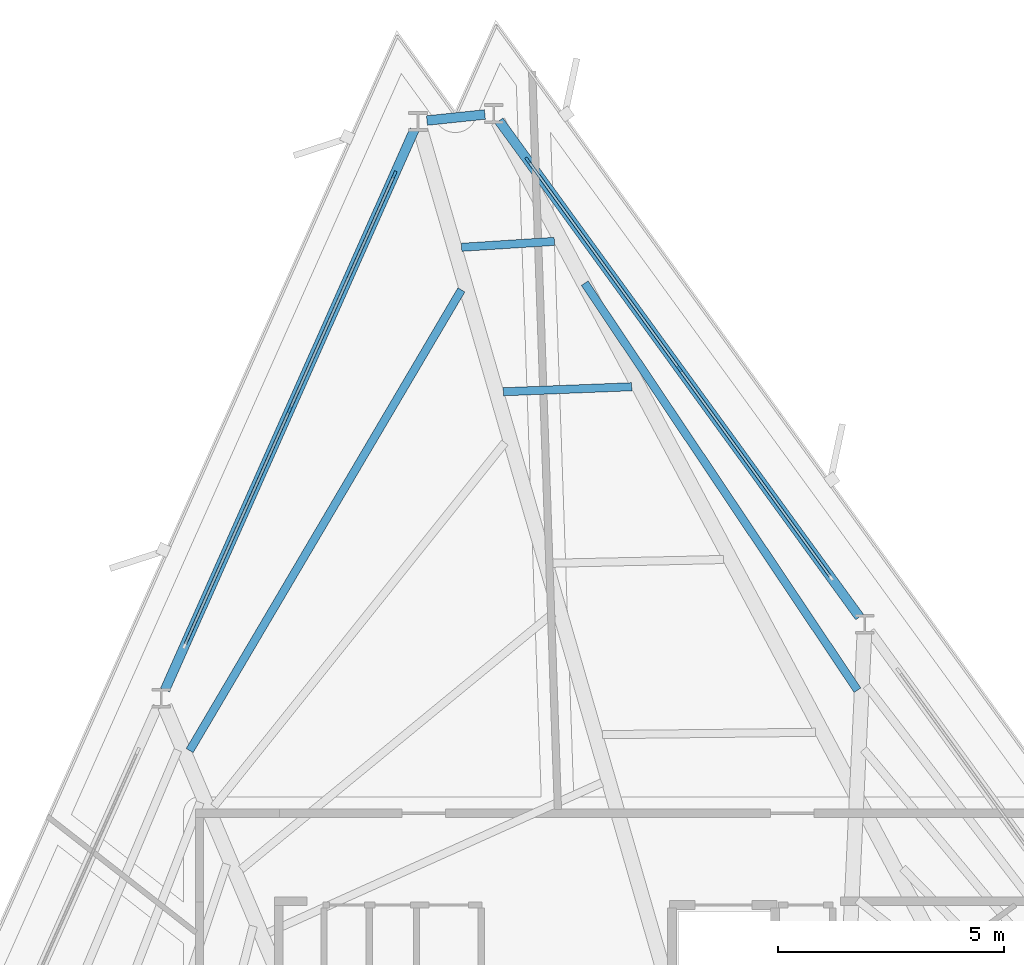
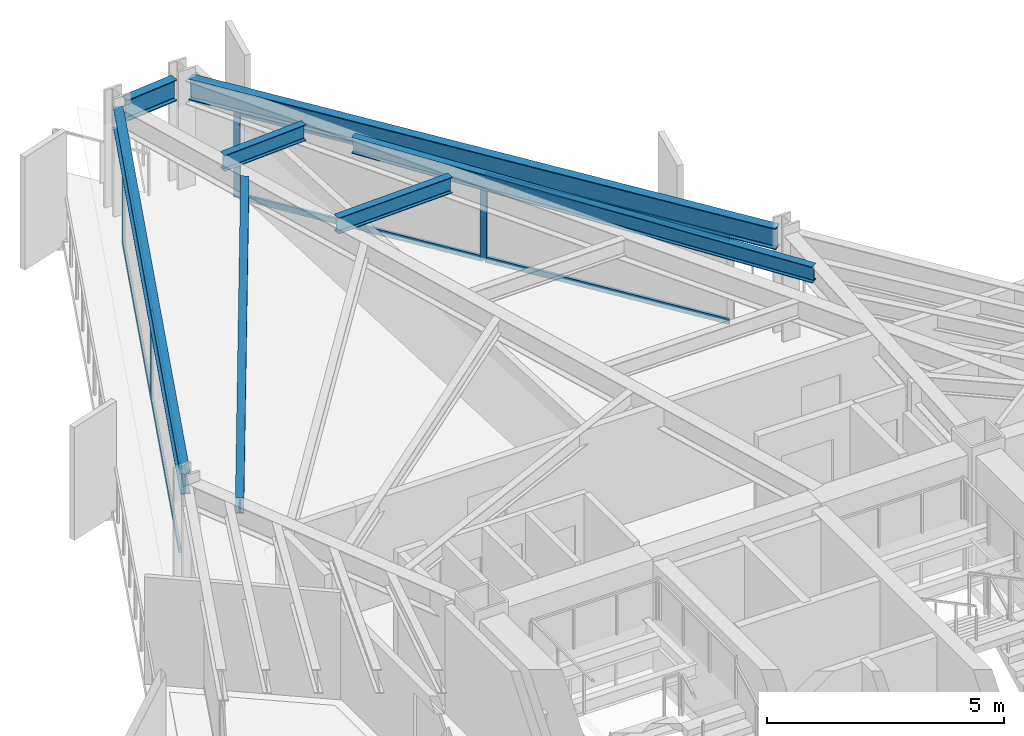
# One storey, part 6 of 12: 12 members, 7 beams, 2 elements without a shape of their own.
"""IFC4 building model written with IfcOpenShell, lengths in metres."""

from ifc_helpers import new_model, si_unit, direction, frame, origin, origin_2d, place, context, subcontext, project, spatial, rectangle, i_section, extrude, material, layer, layer_set, material_profile, profile_set, type_object, element, aggregate, save


model = new_model("IFC4")

# Units and contexts
model_context = context("Model", 3, precision=1e-05, world=origin(), true_north=direction((0.0, 1.0)))
body_context = subcontext(model_context, "Body", "Model", "MODEL_VIEW")
ifc_project = project(units=[si_unit("LENGTHUNIT", "METRE"), si_unit("AREAUNIT", "SQUARE_METRE"), si_unit("VOLUMEUNIT", "CUBIC_METRE"), si_unit("PLANEANGLEUNIT", "RADIAN"), si_unit("MASSUNIT", "GRAM", prefix="KILO")], contexts=[model_context])

# Site, building, storey
site_placement = place(None, origin())
site = spatial("IfcSite", under=ifc_project, at=site_placement, CompositionType="ELEMENT")
building_placement = place(site_placement, origin())
building = spatial("IfcBuilding", under=site, at=building_placement, Name="Rocaltana Carrier Exchange", CompositionType="ELEMENT")
storey_placement = place(building_placement, frame((0.0, 0.0, 107.679931640625)))
storey = spatial("IfcBuildingStorey", under=building, at=storey_placement, Name="L33", CompositionType="ELEMENT", Elevation=107.679931640625)

# Curtain wall, members
ifc_material_1 = material(Name="Aluminium 6063-T6", Category="aluminium")
ifc_layer = layer(ifc_material_1, 0.14990234375)
ifc_layer_set = layer_set([ifc_layer], Name="Aluminium 6063-T6")
curtain_wall_type = type_object("IfcCurtainWallType", Name="Mid-Tower Unitised Curtain Wall CW-03", PredefinedType="NOTDEFINED", material=ifc_layer_set)
curtain_wall_1_placement = place(storey_placement, origin())
curtain_wall_1 = element("IfcCurtainWall", 1, at=curtain_wall_1_placement, inside=storey, type_object=curtain_wall_type, Name="L33 CW-03 Run CW-L33-F1S3", PredefinedType="NOTDEFINED")
ifc_material_2 = material(Name="Aluminium 6063-T6", Category="aluminium")
ifc_material_profile_1 = material_profile(ifc_material_2, rectangle(XDim=0.06005859375, YDim=0.14990234375, at=origin_2d()), Name="AL-60X150")
ifc_profile_set_1 = profile_set([ifc_material_profile_1], Name="Aluminium 6063-T6")
member_type_1 = type_object("IfcMemberType", Name="CW-03 Mullion AL-60X150", PredefinedType="MULLION", material=ifc_profile_set_1)
member_1_placement = place(storey_placement, frame((2.363037109375, 18.980712890625, 0.0), z_axis=(0.0, 0.0, 1.0), x_axis=(-0.809013555195, -0.587789985889, 0.0)))
member_1 = element("IfcMember", 2, at=member_1_placement, type_object=member_type_1, Name="CW-03 mullion 2", PredefinedType="MULLION", context=body_context, shape_type="SweptSolid", body=[
    extrude(rectangle(XDim=0.06005859375, YDim=0.14990234375, at=origin_2d()), origin(), (0.0, 0.0, 1.0), 2.218017578125),
])
member_2_placement = place(storey_placement, frame((-0.9892578125, 23.5947265625, 0.0), z_axis=(0.0, 0.0, 1.0), x_axis=(-0.809013555195, -0.587789985889, 0.0)))
member_2 = element("IfcMember", 3, at=member_2_placement, type_object=member_type_1, Name="CW-03 mullion 3", PredefinedType="MULLION", context=body_context, shape_type="SweptSolid", body=[
    extrude(rectangle(XDim=0.06005859375, YDim=0.14990234375, at=origin_2d()), origin(), (0.0, 0.0, 1.0), 2.218017578125),
])

curtain_wall_2_placement = place(storey_placement, origin())
curtain_wall_2 = element("IfcCurtainWall", 4, at=curtain_wall_2_placement, inside=storey, type_object=curtain_wall_type, Name="L33 CW-03 Run CW-L33-F2S1", PredefinedType="NOTDEFINED")
member_3_placement = place(storey_placement, frame((-3.93798828125, 23.284912109375, 0.0), z_axis=(0.0, 0.0, 1.0), x_axis=(0.913543791084, -0.406740386206, 0.0)))
member_3 = element("IfcMember", 5, at=member_3_placement, type_object=member_type_1, Name="CW-03 mullion 1", PredefinedType="MULLION", context=body_context, shape_type="SweptSolid", body=[
    extrude(rectangle(XDim=0.06005859375, YDim=0.14990234375, at=origin_2d()), origin(), (0.0, 0.0, 1.0), 2.218017578125),
])
member_4_placement = place(storey_placement, frame((-6.2578125, 18.074462890625, 0.0), z_axis=(0.0, 0.0, 1.0), x_axis=(0.913543791084, -0.406740386206, 0.0)))
member_4 = element("IfcMember", 6, at=member_4_placement, type_object=member_type_1, Name="CW-03 mullion 2", PredefinedType="MULLION", context=body_context, shape_type="SweptSolid", body=[
    extrude(rectangle(XDim=0.06005859375, YDim=0.14990234375, at=origin_2d()), origin(), (0.0, 0.0, 1.0), 2.218017578125),
])

# Member
ifc_material_3 = material(Name="Aluminium 6063-T6", Category="aluminium")
ifc_material_profile_2 = material_profile(ifc_material_3, rectangle(XDim=0.06005859375, YDim=0.14990234375, at=origin_2d()), Name="AL-60X150")
ifc_profile_set_2 = profile_set([ifc_material_profile_2], Name="Aluminium 6063-T6")
member_type_2 = type_object("IfcMemberType", Name="CW-03 Transom AL-60X150", PredefinedType="USERDEFINED", material=ifc_profile_set_2)
member_5_placement = place(storey_placement, frame((5.69775390625, 14.390869140625, 0.030029296875), z_axis=(-0.587803791035, 0.809003524866, 0.0), x_axis=(-0.809003524866, -0.587803791035, 0.0)))
member_5 = element("IfcMember", 7, at=member_5_placement, type_object=member_type_2, Name="CW-03 transom 1.1", ObjectType="TRANSOM", PredefinedType="USERDEFINED", context=body_context, shape_type="SweptSolid", body=[
    extrude(rectangle(XDim=0.06005859375, YDim=0.14990234375, at=origin_2d()), origin(), (0.0, 0.0, 1.0), 5.643310546875),
])

member_6_placement = place(storey_placement, frame((5.69775390625, 14.390869140625, 2.18798828125), z_axis=(-0.587803791035, 0.809003524866, 0.0), x_axis=(-0.809003524866, -0.587803791035, 0.0)))
member_6 = element("IfcMember", 8, at=member_6_placement, type_object=member_type_2, Name="CW-03 transom 1.2", ObjectType="TRANSOM", PredefinedType="USERDEFINED", context=body_context, shape_type="SweptSolid", body=[
    extrude(rectangle(XDim=0.06005859375, YDim=0.14990234375, at=origin_2d()), origin(), (0.0, 0.0, 1.0), 5.643310546875),
])

member_7_placement = place(storey_placement, frame((2.345458984375, 19.0048828125, 0.030029296875), z_axis=(-0.58778321885, 0.809018471753, 0.0), x_axis=(-0.809018471753, -0.58778321885, 0.0)))
member_7 = element("IfcMember", 9, at=member_7_placement, type_object=member_type_2, Name="CW-03 transom 2.1", ObjectType="TRANSOM", PredefinedType="USERDEFINED", context=body_context, shape_type="SweptSolid", body=[
    extrude(rectangle(XDim=0.06005859375, YDim=0.14990234375, at=origin_2d()), origin(), (0.0, 0.0, 1.0), 5.6435546875),
])

member_8_placement = place(storey_placement, frame((2.345458984375, 19.0048828125, 2.18798828125), z_axis=(-0.58778321885, 0.809018471753, 0.0), x_axis=(-0.809018471753, -0.58778321885, 0.0)))
member_8 = element("IfcMember", 10, at=member_8_placement, type_object=member_type_2, Name="CW-03 transom 2.2", ObjectType="TRANSOM", PredefinedType="USERDEFINED", context=body_context, shape_type="SweptSolid", body=[
    extrude(rectangle(XDim=0.06005859375, YDim=0.14990234375, at=origin_2d()), origin(), (0.0, 0.0, 1.0), 5.6435546875),
])

aggregate(curtain_wall_1, [member_1, member_2, member_5, member_6, member_7, member_8])

member_9_placement = place(storey_placement, frame((-3.9501953125, 23.25732421875, 0.030029296875), z_axis=(-0.406740464784, -0.913543756099, 0.0), x_axis=(0.913543756099, -0.406740464784, 0.0)))
member_9 = element("IfcMember", 11, at=member_9_placement, type_object=member_type_2, Name="CW-03 transom 1.1", ObjectType="TRANSOM", PredefinedType="USERDEFINED", context=body_context, shape_type="SweptSolid", body=[
    extrude(rectangle(XDim=0.06005859375, YDim=0.14990234375, at=origin_2d()), origin(), (0.0, 0.0, 1.0), 5.643310546875),
])

member_10_placement = place(storey_placement, frame((-3.9501953125, 23.25732421875, 2.18798828125), z_axis=(-0.406740464784, -0.913543756099, 0.0), x_axis=(0.913543756099, -0.406740464784, 0.0)))
member_10 = element("IfcMember", 12, at=member_10_placement, type_object=member_type_2, Name="CW-03 transom 1.2", ObjectType="TRANSOM", PredefinedType="USERDEFINED", context=body_context, shape_type="SweptSolid", body=[
    extrude(rectangle(XDim=0.06005859375, YDim=0.14990234375, at=origin_2d()), origin(), (0.0, 0.0, 1.0), 5.643310546875),
])

member_11_placement = place(storey_placement, frame((-6.27001953125, 18.047119140625, 0.030029296875), z_axis=(-0.406704359788, -0.913559830405, 0.0), x_axis=(0.913559830405, -0.406704359788, 0.0)))
member_11 = element("IfcMember", 13, at=member_11_placement, type_object=member_type_2, Name="CW-03 transom 2.1", ObjectType="TRANSOM", PredefinedType="USERDEFINED", context=body_context, shape_type="SweptSolid", body=[
    extrude(rectangle(XDim=0.06005859375, YDim=0.14990234375, at=origin_2d()), origin(), (0.0, 0.0, 1.0), 5.643310546875),
])

member_12_placement = place(storey_placement, frame((-6.27001953125, 18.047119140625, 2.18798828125), z_axis=(-0.406704359788, -0.913559830405, 0.0), x_axis=(0.913559830405, -0.406704359788, 0.0)))
member_12 = element("IfcMember", 14, at=member_12_placement, type_object=member_type_2, Name="CW-03 transom 2.2", ObjectType="TRANSOM", PredefinedType="USERDEFINED", context=body_context, shape_type="SweptSolid", body=[
    extrude(rectangle(XDim=0.06005859375, YDim=0.14990234375, at=origin_2d()), origin(), (0.0, 0.0, 1.0), 5.643310546875),
])

aggregate(curtain_wall_2, [member_3, member_4, member_9, member_10, member_11, member_12])

# Beams
ifc_material_4 = material(Name="Steel S355", Category="steel")
ifc_material_profile_3 = material_profile(ifc_material_4, i_section(OverallWidth=0.179931640625, OverallDepth=0.4130859375, WebThickness=0.009765625, FlangeThickness=0.01611328125, FilletRadius=0.012939453125, at=origin_2d()), Name="W16X50")
ifc_profile_set_3 = profile_set([ifc_material_profile_3], Name="Steel S355")
beam_type_1 = type_object("IfcBeamType", Name="Floor Joist W16X50", PredefinedType="JOIST", material=ifc_profile_set_3)
beam_1_placement = place(storey_placement, frame((6.3056640625, 11.87109375, 2.58154296875), z_axis=(-0.556730424086, 0.830693225503, 0.0), x_axis=(-0.830693225503, -0.556730424086, 0.0)))
element("IfcBeam", 15, at=beam_1_placement, inside=storey, type_object=beam_type_1, Name="FJ-L33-03-4", PredefinedType="JOIST", context=body_context, shape_type="SweptSolid", body=[
    extrude(i_section(OverallWidth=0.179931640625, OverallDepth=0.4130859375, WebThickness=0.009765625, FlangeThickness=0.01611328125, FilletRadius=0.012939453125, at=origin_2d()), origin(), (0.0, 0.0, 1.0), 10.841552734375),
])
beam_2_placement = place(storey_placement, frame((1.31005859375, 18.585205078125, 2.58154296875), z_axis=(-0.999236623871, -0.039066219613, 0.0), x_axis=(0.039066219613, -0.999236623871, 0.0)))
element("IfcBeam", 16, at=beam_2_placement, inside=storey, type_object=beam_type_1, Name="FJ-L33-04-3", PredefinedType="JOIST", context=body_context, shape_type="SweptSolid", body=[
    extrude(i_section(OverallWidth=0.179931640625, OverallDepth=0.4130859375, WebThickness=0.009765625, FlangeThickness=0.01611328125, FilletRadius=0.012939453125, at=origin_2d()), origin(), (0.0, 0.0, 1.0), 2.843505859375),
])
beam_3_placement = place(storey_placement, frame((-0.400390625, 21.802001953125, 2.58154296875), z_axis=(-0.99795348831, -0.063944000261, 0.0), x_axis=(0.063944000261, -0.99795348831, 0.0)))
element("IfcBeam", 17, at=beam_3_placement, inside=storey, type_object=beam_type_1, Name="FJ-L33-04-4", PredefinedType="JOIST", context=body_context, shape_type="SweptSolid", body=[
    extrude(i_section(OverallWidth=0.179931640625, OverallDepth=0.4130859375, WebThickness=0.009765625, FlangeThickness=0.01611328125, FilletRadius=0.012939453125, at=origin_2d()), origin(), (0.0, 0.0, 1.0), 2.057861328125),
])
beam_4_placement = place(storey_placement, frame((-2.45849609375, 20.72802734375, 2.58154296875), z_axis=(-0.507982665152, -0.861367292103, 0.0), x_axis=(0.861367292103, -0.507982665152, 0.0)))
element("IfcBeam", 18, at=beam_4_placement, inside=storey, type_object=beam_type_1, Name="FJ-L33-05-4", PredefinedType="JOIST", context=body_context, shape_type="SweptSolid", body=[
    extrude(i_section(OverallWidth=0.179931640625, OverallDepth=0.4130859375, WebThickness=0.009765625, FlangeThickness=0.01611328125, FilletRadius=0.012939453125, at=origin_2d()), origin(), (0.0, 0.0, 1.0), 11.83447265625),
])
ifc_material_5 = material(Name="Steel S355", Category="steel")
ifc_material_profile_4 = material_profile(ifc_material_5, i_section(OverallWidth=0.2119140625, OverallDepth=0.5439453125, WebThickness=0.01318359375, FlangeThickness=0.021240234375, FilletRadius=0.014892578125, at=origin_2d()), Name="W21X83")
ifc_profile_set_4 = profile_set([ifc_material_profile_4], Name="Steel S355")
beam_type_2 = type_object("IfcBeamType", Name="Spandrel Edge Beam W21X83", PredefinedType="SPANDREL", material=ifc_profile_set_4)
beam_5_placement = place(storey_placement, frame((6.351318359375, 13.4912109375, 2.51611328125), z_axis=(-0.587777981524, 0.809022276847, 0.0), x_axis=(-0.809022276847, -0.587777981524, 0.0)))
element("IfcBeam", 19, at=beam_5_placement, inside=storey, type_object=beam_type_2, Name="SP-L33-03", PredefinedType="SPANDREL", context=body_context, shape_type="SweptSolid", body=[
    extrude(i_section(OverallWidth=0.2119140625, OverallDepth=0.5439453125, WebThickness=0.01318359375, FlangeThickness=0.021240234375, FilletRadius=0.014892578125, at=origin_2d()), origin(), (0.0, 0.0, 1.0), 13.57080078125),
])
beam_6_placement = place(storey_placement, frame((-1.9384765625, 24.609619140625, 2.51611328125), z_axis=(-0.994519972374, -0.104546757713, 0.0), x_axis=(0.104546757713, -0.994519972374, 0.0)))
element("IfcBeam", 20, at=beam_6_placement, inside=storey, type_object=beam_type_2, Name="SP-L33-04", PredefinedType="SPANDREL", context=body_context, shape_type="SweptSolid", body=[
    extrude(i_section(OverallWidth=0.2119140625, OverallDepth=0.5439453125, WebThickness=0.01318359375, FlangeThickness=0.021240234375, FilletRadius=0.014892578125, at=origin_2d()), origin(), (0.0, 0.0, 1.0), 1.2890625),
])
beam_7_placement = place(storey_placement, frame((-3.497802734375, 24.273193359375, 2.51611328125), z_axis=(-0.406740957499, -0.913543536725, 0.0), x_axis=(0.913543536725, -0.406740957499, 0.0)))
element("IfcBeam", 21, at=beam_7_placement, inside=storey, type_object=beam_type_2, Name="SP-L33-05", PredefinedType="SPANDREL", context=body_context, shape_type="SweptSolid", body=[
    extrude(i_section(OverallWidth=0.2119140625, OverallDepth=0.5439453125, WebThickness=0.01318359375, FlangeThickness=0.021240234375, FilletRadius=0.014892578125, at=origin_2d()), origin(), (0.0, 0.0, 1.0), 13.57080078125),
])

save(model, "model.ifc")
